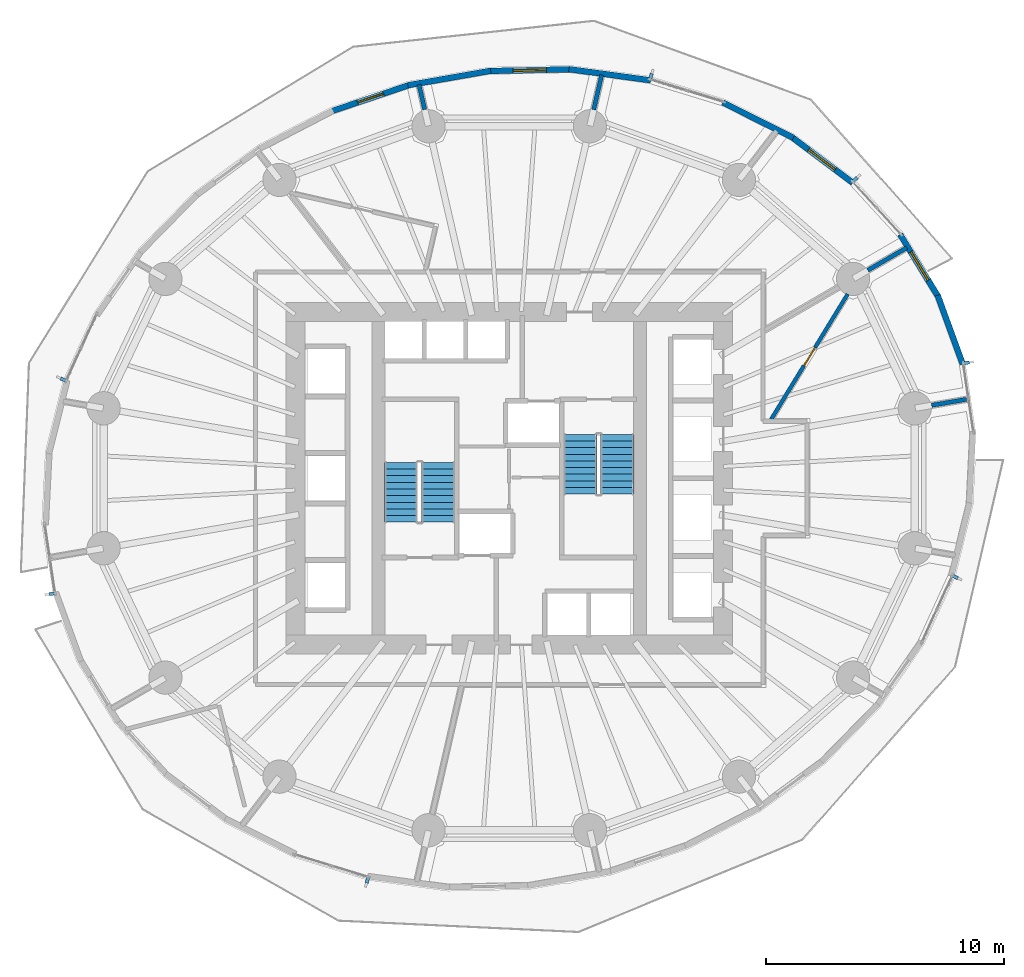
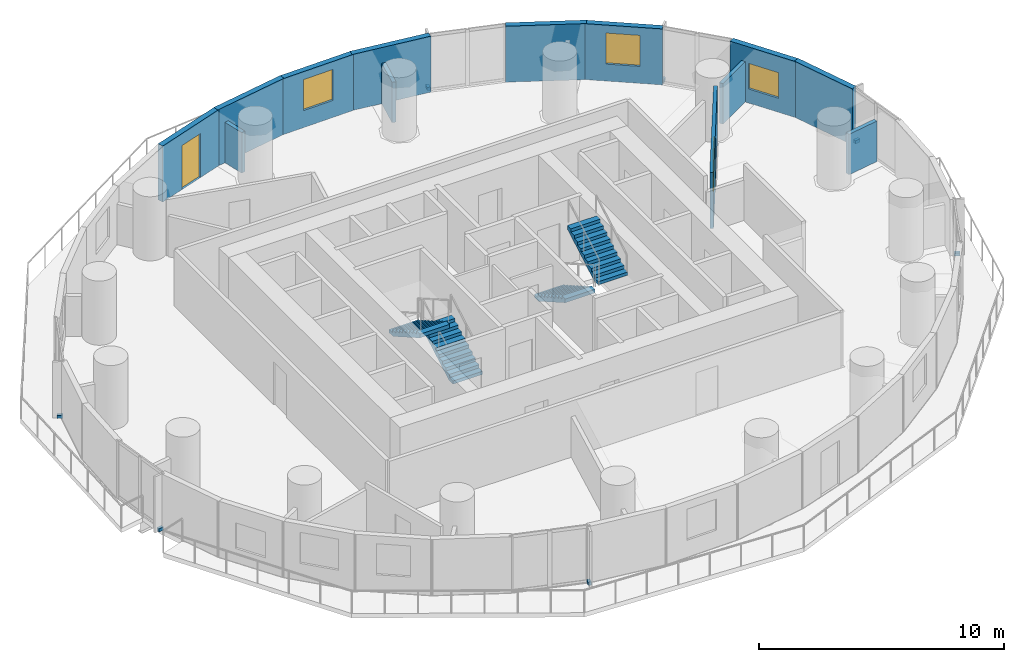
# One storey, part 9 of 13: 13 walls, 7 discrete accessories, 4 stair flights, 3 windows, 2 doors, 5 openings, 2 elements without a shape of their own.
"""IFC4 building model written with IfcOpenShell, lengths in metres."""

from ifc_helpers import new_model, si_unit, direction, frame, frame_2d, origin, origin_2d, place, context, subcontext, project, spatial, polyline, rectangle, outline, extrude, material, layer, layer_set, type_object, element, fill, aggregate, save


model = new_model("IFC4")

# Units and contexts
model_context = context("Model", 3, precision=1e-05, world=origin(), true_north=direction((0.0, 1.0)))
body_context = subcontext(model_context, "Body", "Model", "MODEL_VIEW")
ifc_project = project(units=[si_unit("LENGTHUNIT", "METRE"), si_unit("AREAUNIT", "SQUARE_METRE"), si_unit("VOLUMEUNIT", "CUBIC_METRE"), si_unit("PLANEANGLEUNIT", "RADIAN"), si_unit("MASSUNIT", "GRAM", prefix="KILO")], contexts=[model_context])

# Site, building, storey
site_placement = place(None, origin())
site = spatial("IfcSite", under=ifc_project, at=site_placement, CompositionType="ELEMENT")
building_placement = place(site_placement, origin())
building = spatial("IfcBuilding", under=site, at=building_placement, Name="Veldorim Arch Residences", CompositionType="ELEMENT")
storey_placement = place(building_placement, frame((0.0, 0.0, 63.199951171875)))
storey = spatial("IfcBuildingStorey", under=building, at=storey_placement, Name="L18", CompositionType="ELEMENT", Elevation=63.199951171875)

# Walls
ifc_material_1 = material(Name="Lightweight Masonry Block & Gypsum", Category="masonry")
ifc_layer_1 = layer(ifc_material_1, 0.179931640625, Name="Compartment & Corridor Fire-Rated Party Wall 180")
ifc_layer_set_1 = layer_set([ifc_layer_1], Name="Lightweight Masonry Block & Gypsum")
wall_type_1 = type_object("IfcWallType", Name="Compartment & Corridor Fire-Rated Party Wall 180", PredefinedType="PARTITIONING", material=ifc_layer_set_1)
wall_1_placement = place(storey_placement, frame((49.775146484375, 27.068359375, 0.0), z_axis=(0.0, 0.0, 1.0), x_axis=(0.985427868046, 0.170093847267, 0.0)))
element("IfcWall", 1, at=wall_1_placement, inside=storey, type_object=wall_type_1, Name="L18 interior wall WL-PIER-L18-01", PredefinedType="PARTITIONING", context=body_context, shape_type="SweptSolid", body=[
    extrude(rectangle(XDim=1.487060546875, YDim=0.179931640625, at=frame_2d((0.74365234375, 0.0))), origin(), (0.0, 0.0, 1.0), 2.018310546875),
])
wall_2_placement = place(storey_placement, frame((47.090576171875, 32.750244140625, 0.0), z_axis=(0.0, 0.0, 1.0), x_axis=(0.865028951922, 0.501721947234, 0.0)))
element("IfcWall", 2, at=wall_2_placement, inside=storey, type_object=wall_type_1, Name="L18 interior wall WL-PIER-L18-02", PredefinedType="PARTITIONING", context=body_context, shape_type="SweptSolid", body=[
    extrude(rectangle(XDim=1.894287109375, YDim=0.179931640625, at=frame_2d((0.947265625, 0.0))), origin(), (0.0, 0.0, 1.0), 2.018310546875),
])
wall_3_placement = place(storey_placement, frame((35.555419921875, 39.51171875, 0.0), z_axis=(0.0, 0.0, 1.0), x_axis=(0.223479327284, 0.974708669438, 0.0)))
element("IfcWall", 3, at=wall_3_placement, inside=storey, type_object=wall_type_1, Name="L18 interior wall WL-PIER-L18-04", PredefinedType="PARTITIONING", context=body_context, shape_type="SweptSolid", body=[
    extrude(rectangle(XDim=1.498779296875, YDim=0.179931640625, at=frame_2d((0.74951171875, 0.0))), origin(), (0.0, 0.0, 1.0), 2.018310546875),
])
wall_4_placement = place(storey_placement, frame((28.444580078125, 39.51171875, 0.0), z_axis=(0.0, 0.0, 1.0), x_axis=(-0.2234388258, 0.974717954654, 0.0)))
element("IfcWall", 4, at=wall_4_placement, inside=storey, type_object=wall_type_1, Name="L18 interior wall WL-PIER-L18-05", PredefinedType="PARTITIONING", context=body_context, shape_type="SweptSolid", body=[
    extrude(rectangle(XDim=1.07958984375, YDim=0.179931640625, at=frame_2d((0.539794921875, 0.0))), origin(), (0.0, 0.0, 1.0), 2.018310546875),
])
ifc_material_2 = material(Name="Precast concrete C40/50", Category="concrete")
ifc_layer_2 = layer(ifc_material_2, 0.25, Name="Tower Terracotta Spandrel & Pier Wall 250")
ifc_layer_set_2 = layer_set([ifc_layer_2], Name="Precast concrete C40/50")
wall_type_2 = type_object("IfcWallType", Name="Tower Terracotta Spandrel & Pier Wall 250", PredefinedType="SOLIDWALL", material=ifc_layer_set_2)
wall_5_placement = place(storey_placement, frame((50.027099609375, 31.70361328125, 0.0), z_axis=(0.0, 0.0, 1.0), x_axis=(0.342541792275, -0.939502592091, 0.0)))
element("IfcWall", 5, at=wall_5_placement, inside=storey, type_object=wall_type_2, Name="L18 terracotta facade wall 01", PredefinedType="SOLIDWALL", context=body_context, shape_type="SweptSolid", body=[
    extrude(rectangle(XDim=3.091796875, YDim=0.25, at=frame_2d((1.5458984375, 0.0))), origin(), (0.0, 0.0, 1.0), 2.800048828125),
])

# Wall, opening, window
wall_6_placement = place(storey_placement, frame((48.449951171875, 34.263427734375, 0.0), z_axis=(0.0, 0.0, 1.0), x_axis=(0.521370891217, -0.853330178648, 0.0)))
wall_6 = element("IfcWall", 6, at=wall_6_placement, inside=storey, type_object=wall_type_2, Name="L18 terracotta facade wall 02", PredefinedType="SOLIDWALL", context=body_context, shape_type="SweptSolid", body=[
    extrude(rectangle(XDim=3.12060546875, YDim=0.25, at=frame_2d((1.560302734375, 0.0))), origin(), (0.0, 0.0, 1.0), 2.800048828125),
])
opening_1_placement = place(wall_6_placement, frame((0.860107421875, 0.0, 0.699951171875)))
opening_1 = element("IfcOpeningElement", 7, at=opening_1_placement, cuts=wall_6, Name="Opening WN-02", PredefinedType="OPENING", context=body_context, shape_type="SweptSolid", body=[
    extrude(rectangle(XDim=1.39990234375, YDim=1.280029296875, at=frame_2d((0.699951171875, 0.64013671875))), frame((0.0, 0.135009765625, 0.0), z_axis=(0.0, -1.0, 0.0), x_axis=(1.0, 0.0, 0.0)), (0.0, 0.0, 1.0), 0.27001953125),
])
ifc_material_3 = material(Name="Laminated Low-E Glass", Category="glass")
window_type = type_object("IfcWindowType", Name="Residential Casement Window 1400x1550", PartitioningType="SINGLE_PANEL", PredefinedType="WINDOW", material=ifc_material_3)
window_1_placement = place(opening_1_placement, origin())
window_1 = element("IfcWindow", 8, at=window_1_placement, inside=storey, type_object=window_type, Name="L18 solar-control facade window 02", OverallHeight=1.280029296875, OverallWidth=1.39990234375, PartitioningType="SINGLE_PANEL", PredefinedType="WINDOW", context=body_context, shape_type="SweptSolid", body=[
    extrude(rectangle(XDim=1.39990234375, YDim=1.280029296875, at=frame_2d((0.699951171875, 0.64013671875))), frame((0.0, 0.030029296875, 0.0), z_axis=(0.0, -1.0, 0.0), x_axis=(1.0, 0.0, 0.0)), (0.0, 0.0, 1.0), 0.06005859375),
])
fill(opening_1, window_1)

wall_7_placement = place(storey_placement, frame((43.861083984375, 38.382568359375, 0.0), z_axis=(0.0, 0.0, 1.0), x_axis=(0.800198613696, -0.599735090385, 0.0)))
wall_7 = element("IfcWall", 9, at=wall_7_placement, inside=storey, type_object=wall_type_2, Name="L18 terracotta facade wall 04", PredefinedType="SOLIDWALL", context=body_context, shape_type="SweptSolid", body=[
    extrude(rectangle(XDim=3.244384765625, YDim=0.25, at=frame_2d((1.6220703125, 0.0))), origin(), (0.0, 0.0, 1.0), 2.800048828125),
])
opening_2_placement = place(wall_7_placement, frame((0.922119140625, 0.0, 0.85009765625)))
opening_2 = element("IfcOpeningElement", 10, at=opening_2_placement, cuts=wall_7, Name="Opening WN-02", PredefinedType="OPENING", context=body_context, shape_type="SweptSolid", body=[
    extrude(rectangle(XDim=1.39990234375, YDim=1.550048828125, at=frame_2d((0.699951171875, 0.77490234375))), frame((0.0, 0.135009765625, 0.0), z_axis=(0.0, -1.0, 0.0), x_axis=(1.0, 0.0, 0.0)), (0.0, 0.0, 1.0), 0.27001953125),
])
window_2_placement = place(opening_2_placement, origin())
window_2 = element("IfcWindow", 11, at=window_2_placement, inside=storey, type_object=window_type, Name="L18 solar-control facade window 04", OverallHeight=1.550048828125, OverallWidth=1.39990234375, PartitioningType="SINGLE_PANEL", PredefinedType="WINDOW", context=body_context, shape_type="SweptSolid", body=[
    extrude(rectangle(XDim=1.39990234375, YDim=1.550048828125, at=frame_2d((0.699951171875, 0.77490234375))), frame((0.0, 0.030029296875, 0.0), z_axis=(0.0, -1.0, 0.0), x_axis=(1.0, 0.0, 0.0)), (0.0, 0.0, 1.0), 0.06005859375),
])
fill(opening_2, window_2)

# Walls
wall_8_placement = place(storey_placement, frame((40.987548828125, 39.81689453125, 0.0), z_axis=(0.0, 0.0, 1.0), x_axis=(0.893351919744, -0.449357705498, 0.0)))
element("IfcWall", 12, at=wall_8_placement, inside=storey, type_object=wall_type_2, Name="L18 terracotta facade wall 05", PredefinedType="SOLIDWALL", context=body_context, shape_type="SweptSolid", body=[
    extrude(rectangle(XDim=3.322998046875, YDim=0.25, at=frame_2d((1.66162109375, 0.0))), origin(), (0.0, 0.0, 1.0), 2.800048828125),
])
wall_9_placement = place(storey_placement, frame((34.514404296875, 41.2158203125, 0.0), z_axis=(0.0, 0.0, 1.0), x_axis=(0.99081644242, -0.13521382115, 0.0)))
element("IfcWall", 13, at=wall_9_placement, inside=storey, type_object=wall_type_2, Name="L18 terracotta facade wall 07", PredefinedType="SOLIDWALL", context=body_context, shape_type="SweptSolid", body=[
    extrude(rectangle(XDim=3.46484375, YDim=0.25, at=frame_2d((1.732421875, 0.0))), origin(), (0.0, 0.0, 1.0), 2.800048828125),
])

# Wall, opening, window
wall_10_placement = place(storey_placement, frame((31.111572265625, 41.137451171875, 0.0), z_axis=(0.0, 0.0, 1.0), x_axis=(0.999788360949, 0.020572635025, 0.0)))
wall_10 = element("IfcWall", 14, at=wall_10_placement, inside=storey, type_object=wall_type_2, Name="L18 terracotta facade wall 08", PredefinedType="SOLIDWALL", context=body_context, shape_type="SweptSolid", body=[
    extrude(rectangle(XDim=3.5126953125, YDim=0.25, at=frame_2d((1.75634765625, 0.0))), origin(), (0.0, 0.0, 1.0), 2.800048828125),
])
opening_3_placement = place(wall_10_placement, frame((1.055908203125, 0.0, 0.85009765625)))
opening_3 = element("IfcOpeningElement", 15, at=opening_3_placement, cuts=wall_10, Name="Opening WN-02", PredefinedType="OPENING", context=body_context, shape_type="SweptSolid", body=[
    extrude(rectangle(XDim=1.39990234375, YDim=1.550048828125, at=frame_2d((0.699951171875, 0.77490234375))), frame((0.0, 0.135009765625, 0.0), z_axis=(0.0, -1.0, 0.0), x_axis=(1.0, 0.0, 0.0)), (0.0, 0.0, 1.0), 0.27001953125),
])
window_3_placement = place(opening_3_placement, origin())
window_3 = element("IfcWindow", 16, at=window_3_placement, inside=storey, type_object=window_type, Name="L18 solar-control facade window 08", OverallHeight=1.550048828125, OverallWidth=1.39990234375, PartitioningType="SINGLE_PANEL", PredefinedType="WINDOW", context=body_context, shape_type="SweptSolid", body=[
    extrude(rectangle(XDim=1.39990234375, YDim=1.550048828125, at=frame_2d((0.699951171875, 0.77490234375))), frame((0.0, 0.030029296875, 0.0), z_axis=(0.0, -1.0, 0.0), x_axis=(1.0, 0.0, 0.0)), (0.0, 0.0, 1.0), 0.06005859375),
])
fill(opening_3, window_3)

# Wall
wall_11_placement = place(storey_placement, frame((27.734619140625, 40.53759765625, 0.0), z_axis=(0.0, 0.0, 1.0), x_axis=(0.98500849055, 0.172505865245, 0.0)))
element("IfcWall", 17, at=wall_11_placement, inside=storey, type_object=wall_type_2, Name="L18 terracotta facade wall 09", PredefinedType="SOLIDWALL", context=body_context, shape_type="SweptSolid", body=[
    extrude(rectangle(XDim=3.5380859375, YDim=0.25, at=frame_2d((1.76904296875, 0.0))), origin(), (0.0, 0.0, 1.0), 2.800048828125),
])

# Wall, opening, door
wall_12_placement = place(storey_placement, frame((24.4873046875, 39.434326171875, 0.0), z_axis=(0.0, 0.0, 1.0), x_axis=(0.947615298774, 0.319413909417, 0.0)))
wall_12 = element("IfcWall", 18, at=wall_12_placement, inside=storey, type_object=wall_type_2, Name="L18 terracotta facade wall 10", PredefinedType="SOLIDWALL", context=body_context, shape_type="SweptSolid", body=[
    extrude(rectangle(XDim=3.5380859375, YDim=0.25, at=frame_2d((1.76904296875, 0.0))), origin(), (0.0, 0.0, 1.0), 2.800048828125),
])
opening_4_placement = place(wall_12_placement, frame((1.194091796875, 0.0, 0.0)))
opening_4 = element("IfcOpeningElement", 19, at=opening_4_placement, cuts=wall_12, Name="Opening BL-DR", PredefinedType="OPENING", context=body_context, shape_type="SweptSolid", body=[
    extrude(rectangle(XDim=1.14990234375, YDim=2.199951171875, at=frame_2d((0.574951171875, 1.10009765625))), frame((0.0, 0.135009765625, 0.0), z_axis=(0.0, -1.0, 0.0), x_axis=(1.0, 0.0, 0.0)), (0.0, 0.0, 1.0), 0.27001953125),
])
ifc_material_4 = material(Name="Aluminium & Low-E Glass", Category="aluminium")
door_type_1 = type_object("IfcDoorType", Name="Glazed Planted Balcony Door 1150x2200", OperationType="SINGLE_SWING_LEFT", PredefinedType="DOOR", material=ifc_material_4)
door_1_placement = place(opening_4_placement, origin())
door_1 = element("IfcDoor", 20, at=door_1_placement, inside=storey, type_object=door_type_1, Name="L18 glazed outdoor terrace door BALC-1", OperationType="SINGLE_SWING_RIGHT", OverallHeight=2.199951171875, OverallWidth=1.14990234375, PredefinedType="DOOR", context=body_context, shape_type="SweptSolid", body=[
    extrude(rectangle(XDim=1.14990234375, YDim=2.199951171875, at=frame_2d((0.574951171875, 1.10009765625))), frame((0.0, 0.02490234375, 0.0), z_axis=(0.0, -1.0, 0.0), x_axis=(1.0, 0.0, 0.0)), (0.0, 0.0, 1.0), 0.050048828125),
])
fill(opening_4, door_1)

ifc_material_5 = material(Name="Moisture-Resistant Gypsum & Stud", Category="gypsum")
ifc_layer_3 = layer(ifc_material_5, 0.159912109375, Name="Wet-Area Moisture-Resistant Plumbing Wall 160")
ifc_layer_set_3 = layer_set([ifc_layer_3], Name="Moisture-Resistant Gypsum & Stud")
wall_type_3 = type_object("IfcWallType", Name="Wet-Area Moisture-Resistant Plumbing Wall 160", PredefinedType="PLUMBINGWALL", material=ifc_layer_set_3)
wall_13_placement = place(storey_placement, frame((43.02587890625, 26.4853515625, 0.0), z_axis=(0.0, 0.0, 1.0), x_axis=(0.521413206751, 0.853304323103, 0.0)))
wall_13 = element("IfcWall", 21, at=wall_13_placement, inside=storey, type_object=wall_type_3, Name="L18 interior wall WL-RES-L18-009", PredefinedType="PLUMBINGWALL", context=body_context, shape_type="SweptSolid", body=[
    extrude(rectangle(XDim=6.171630859375, YDim=0.159912109375, at=frame_2d((3.0859375, 0.0))), origin(), (0.0, 0.0, 1.0), 2.795166015625),
])
opening_5_placement = place(wall_13_placement, frame((2.635986328125, 0.0, 0.0)))
opening_5 = element("IfcOpeningElement", 22, at=opening_5_placement, cuts=wall_13, Name="Opening DR-WC", PredefinedType="OPENING", context=body_context, shape_type="SweptSolid", body=[
    extrude(rectangle(XDim=0.89990234375, YDim=2.10009765625, at=frame_2d((0.449951171875, 1.050048828125))), frame((0.0, 0.08984375, 0.0), z_axis=(0.0, -1.0, 0.0), x_axis=(1.0, 0.0, 0.0)), (0.0, 0.0, 1.0), 0.179931640625),
])
ifc_material_6 = material(Name="Laminate Timber", Category="wood")
door_type_2 = type_object("IfcDoorType", Name="Bathroom & Accessible WC Moisture-Sealed Door 900x2100", OperationType="SINGLE_SWING_LEFT", PredefinedType="DOOR", material=ifc_material_6)
door_2_placement = place(opening_5_placement, origin())
door_2 = element("IfcDoor", 23, at=door_2_placement, inside=storey, type_object=door_type_2, Name="L18 interior door DR-RES-L18-002", OperationType="SINGLE_SWING_RIGHT", OverallHeight=2.10009765625, OverallWidth=0.89990234375, PredefinedType="DOOR", context=body_context, shape_type="SweptSolid", body=[
    extrude(rectangle(XDim=0.89990234375, YDim=2.10009765625, at=frame_2d((0.449951171875, 1.050048828125))), frame((0.0, 0.02490234375, 0.0), z_axis=(0.0, -1.0, 0.0), x_axis=(1.0, 0.0, 0.0)), (0.0, 0.0, 1.0), 0.050048828125),
])
fill(opening_5, door_2)

# Stair, stair flights
ifc_material_7 = material(Name="Concrete C40/50", Category="concrete")
stair_type = type_object("IfcStairType", Name="Reinforced Concrete Dogleg Exit Staircase", PredefinedType="HALF_TURN_STAIR", material=ifc_material_7)
stair_1_placement = place(storey_placement, origin())
stair_1 = element("IfcStair", 24, at=stair_1_placement, inside=storey, type_object=stair_type, Name="L18 Exit Staircase ST-1", PredefinedType="HALF_TURN_STAIR")
ifc_material_8 = material(Name="Concrete C40/50", Category="concrete")
stair_flight_type = type_object("IfcStairFlightType", Name="Reinforced Concrete Stair Flight 1400", PredefinedType="STRAIGHT", material=ifc_material_8)
stair_flight_1_placement = place(storey_placement, frame((29.010009765625, 22.14990234375, 0.0), z_axis=(0.0, 0.0, 1.0), x_axis=(0.0, 1.0, 0.0)))
stair_flight_1 = element("IfcStairFlight", 25, at=stair_flight_1_placement, type_object=stair_flight_type, Name="ST-1 flight 1", NumberOfRisers=10, NumberOfTreads=9, PredefinedType="STRAIGHT", RiserHeight=0.16, TreadLength=0.28, context=body_context, shape_type="SweptSolid", body=[
    extrude(outline(polyline([(0.0, 0.0), (0.0, 0.159912109375), (0.280029296875, 0.159912109375), (0.280029296875, 0.320068359375), (0.56005859375, 0.320068359375), (0.56005859375, 0.47998046875), (0.840087890625, 0.47998046875), (0.840087890625, 0.639892578125), (1.1201171875, 0.639892578125), (1.1201171875, 0.800048828125), (1.39990234375, 0.800048828125), (1.39990234375, 0.9599609375), (1.679931640625, 0.9599609375), (1.679931640625, 1.1201171875), (1.9599609375, 1.1201171875), (1.9599609375, 1.280029296875), (2.239990234375, 1.280029296875), (2.239990234375, 1.43994140625), (2.52001953125, 1.43994140625), (2.52001953125, 1.60009765625), (2.52001953125, 1.255859375), (0.322265625, 0.0), (0.0, 0.0)])), frame((0.0, 0.699951171875, 0.0), z_axis=(0.0, -1.0, 0.0), x_axis=(1.0, 0.0, 0.0)), (0.0, 0.0, 1.0), 1.39990234375),
])
stair_flight_2_placement = place(storey_placement, frame((27.449951171875, 24.669921875, 1.60009765625), z_axis=(0.0, 0.0, 1.0), x_axis=(0.0, -1.0, 0.0)))
stair_flight_2 = element("IfcStairFlight", 26, at=stair_flight_2_placement, type_object=stair_flight_type, Name="ST-1 flight 2", NumberOfRisers=10, NumberOfTreads=9, PredefinedType="STRAIGHT", RiserHeight=0.16, TreadLength=0.28, context=body_context, shape_type="SweptSolid", body=[
    extrude(outline(polyline([(0.0, 0.0), (0.0, 0.159912109375), (0.280029296875, 0.159912109375), (0.280029296875, 0.320068359375), (0.56005859375, 0.320068359375), (0.56005859375, 0.47998046875), (0.840087890625, 0.47998046875), (0.840087890625, 0.639892578125), (1.1201171875, 0.639892578125), (1.1201171875, 0.800048828125), (1.39990234375, 0.800048828125), (1.39990234375, 0.9599609375), (1.679931640625, 0.9599609375), (1.679931640625, 1.1201171875), (1.9599609375, 1.1201171875), (1.9599609375, 1.280029296875), (2.239990234375, 1.280029296875), (2.239990234375, 1.43994140625), (2.52001953125, 1.43994140625), (2.52001953125, 1.60009765625), (2.52001953125, 1.255859375), (0.322265625, 0.0), (0.0, 0.0)])), frame((0.0, 0.699951171875, 0.0), z_axis=(0.0, -1.0, 0.0), x_axis=(1.0, 0.0, 0.0)), (0.0, 0.0, 1.0), 1.39990234375),
])
aggregate(stair_1, [stair_flight_1, stair_flight_2])

stair_2_placement = place(storey_placement, origin())
stair_2 = element("IfcStair", 27, at=stair_2_placement, inside=storey, type_object=stair_type, Name="L18 Exit Staircase ST-2", PredefinedType="HALF_TURN_STAIR")
stair_flight_3_placement = place(storey_placement, frame((34.989990234375, 25.85009765625, 0.0), z_axis=(0.0, 0.0, 1.0), x_axis=(0.0, -1.0, 0.0)))
stair_flight_3 = element("IfcStairFlight", 28, at=stair_flight_3_placement, type_object=stair_flight_type, Name="ST-2 flight 1", NumberOfRisers=10, NumberOfTreads=9, PredefinedType="STRAIGHT", RiserHeight=0.16, TreadLength=0.28, context=body_context, shape_type="SweptSolid", body=[
    extrude(outline(polyline([(0.0, 0.0), (0.0, 0.159912109375), (0.280029296875, 0.159912109375), (0.280029296875, 0.320068359375), (0.56005859375, 0.320068359375), (0.56005859375, 0.47998046875), (0.840087890625, 0.47998046875), (0.840087890625, 0.639892578125), (1.1201171875, 0.639892578125), (1.1201171875, 0.800048828125), (1.39990234375, 0.800048828125), (1.39990234375, 0.9599609375), (1.679931640625, 0.9599609375), (1.679931640625, 1.1201171875), (1.9599609375, 1.1201171875), (1.9599609375, 1.280029296875), (2.239990234375, 1.280029296875), (2.239990234375, 1.43994140625), (2.52001953125, 1.43994140625), (2.52001953125, 1.60009765625), (2.52001953125, 1.255859375), (0.322265625, 0.0), (0.0, 0.0)])), frame((0.0, 0.699951171875, 0.0), z_axis=(0.0, -1.0, 0.0), x_axis=(1.0, 0.0, 0.0)), (0.0, 0.0, 1.0), 1.39990234375),
])
stair_flight_4_placement = place(storey_placement, frame((36.550048828125, 23.330078125, 1.60009765625), z_axis=(0.0, 0.0, 1.0), x_axis=(0.0, 1.0, 0.0)))
stair_flight_4 = element("IfcStairFlight", 29, at=stair_flight_4_placement, type_object=stair_flight_type, Name="ST-2 flight 2", NumberOfRisers=10, NumberOfTreads=9, PredefinedType="STRAIGHT", RiserHeight=0.16, TreadLength=0.28, context=body_context, shape_type="SweptSolid", body=[
    extrude(outline(polyline([(0.0, 0.0), (0.0, 0.159912109375), (0.280029296875, 0.159912109375), (0.280029296875, 0.320068359375), (0.56005859375, 0.320068359375), (0.56005859375, 0.47998046875), (0.840087890625, 0.47998046875), (0.840087890625, 0.639892578125), (1.1201171875, 0.639892578125), (1.1201171875, 0.800048828125), (1.39990234375, 0.800048828125), (1.39990234375, 0.9599609375), (1.679931640625, 0.9599609375), (1.679931640625, 1.1201171875), (1.9599609375, 1.1201171875), (1.9599609375, 1.280029296875), (2.239990234375, 1.280029296875), (2.239990234375, 1.43994140625), (2.52001953125, 1.43994140625), (2.52001953125, 1.60009765625), (2.52001953125, 1.255859375), (0.322265625, 0.0), (0.0, 0.0)])), frame((0.0, 0.699951171875, 0.0), z_axis=(0.0, -1.0, 0.0), x_axis=(1.0, 0.0, 0.0)), (0.0, 0.0, 1.0), 1.39990234375),
])
aggregate(stair_2, [stair_flight_3, stair_flight_4])

# Discrete accessories
ifc_material_9 = material(Name="Stainless Steel", Category="steel")
discrete_accessory_type = type_object("IfcDiscreteAccessoryType", Name="Stainless Steel Facade Fin Anchor Bracket", PredefinedType="BRACKET", material=ifc_material_9)
for number, where, z_axis, x_axis, name in (
    (30, (46.55322265625, 36.572021484375, -0.02001953125), (0.0, 0.0, 1.0), (0.675718876495, -0.737159412846, 0.0), "L18 stainless fin anchor bracket 03"),
    (31, (37.96484375, 40.9130859375, -0.02001953125), (0.0, 0.0, 1.0), (0.956151539415, -0.292872384621, 0.0), "L18 stainless fin anchor bracket 06"),
    (32, (13.2314453125, 28.154052734375, -0.02001953125), (0.0, 0.0, 1.0), (0.416122094283, 0.909308749903, 0.0), "L18 stainless fin anchor bracket 15"),
    (33, (12.760009765625, 19.14111328125, -0.02001953125), (0.0, 0.0, 1.0), (-0.14832723834, 0.988938334967, 0.0), "L18 stainless fin anchor bracket 18"),
    (34, (26.03515625, 7.0869140625, -0.02001953125), (0.0, 0.0, 1.0), (-0.956151539415, 0.292872384621, 0.0), "L18 stainless fin anchor bracket 24"),
    (35, (50.7685546875, 19.845947265625, -0.02001953125), (0.0, 0.0, 1.0), (-0.416122094283, -0.909308749903, 0.0), "L18 stainless fin anchor bracket 33"),
    (36, (51.239990234375, 28.85888671875, -0.02001953125), (0.0, 0.0, 1.0), (0.14832723834, -0.988938334967, 0.0), "L18 stainless fin anchor bracket 36"),
):
    element("IfcDiscreteAccessory", number, at=place(storey_placement, frame(where, z_axis=z_axis, x_axis=x_axis)), inside=storey, type_object=discrete_accessory_type, Name=name, PredefinedType="BRACKET", context=body_context, shape_type="SweptSolid", body=[
        extrude(rectangle(XDim=0.139892578125, YDim=0.239990234375, at=origin_2d()), origin(), (0.0, 0.0, 1.0), 0.159912109375),
    ])

save(model, "model.ifc")
